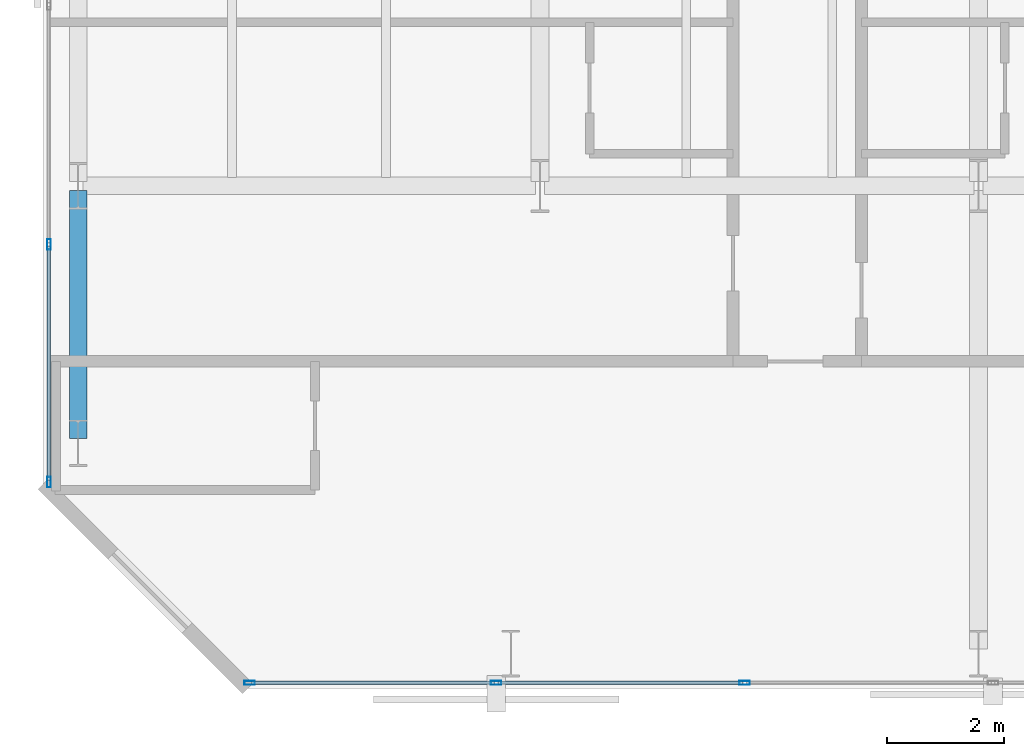
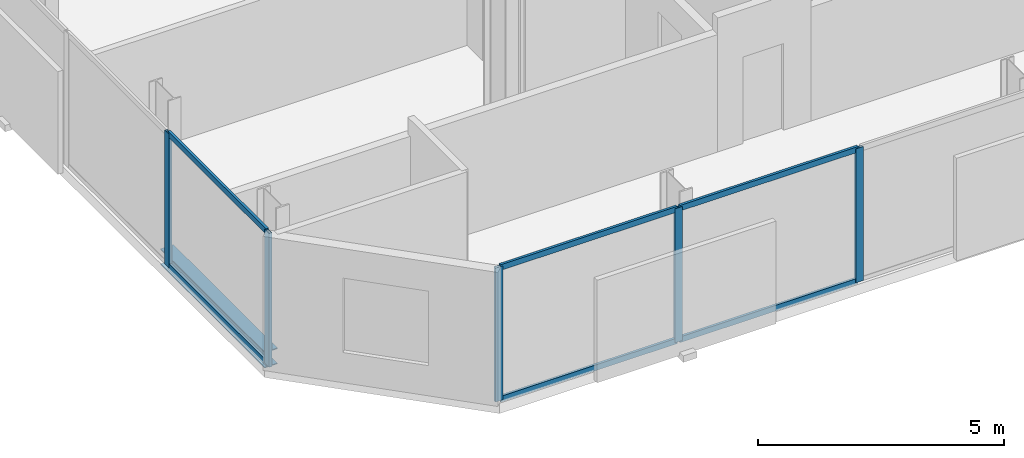
# One storey, part 3 of 33: 11 members, 1 beam, 2 elements without a shape of their own.
"""IFC4 building model written with IfcOpenShell, lengths in metres."""

import ifcopenshell
import ifcopenshell.guid

model = None  # the IFC model being written
_history = None  # IfcOwnerHistory: only IFC2X3 demands one
_inside = {}  # id of a spatial element -> (the spatial element, [elements in it])
_under = {}  # id of a project, library or spatial element -> (it, [spatial elements below it])
_declared = {}  # id of a project -> (the project, [libraries it declares])
_typed = {}  # id of a type object -> (the type object, [elements of that type])
_made_of = {}  # id of a material, layer set ... -> (it, [elements and type objects made of it])


def new_model(schema):
    """Start an empty IFC model of exactly this schema.

    Asked for "IFC4X3", IfcOpenShell would pick the latest addendum, in which some entities
    have other attributes; the version numbers below select the first issue.
    IFC2X3 requires an IfcOwnerHistory on every rooted entity: one is made here for all.
    """
    global model, _history
    if schema == "IFC4X3":
        model = ifcopenshell.file(schema_version=(4, 3, 0, 0))
    else:
        model = ifcopenshell.file(schema=schema)
    _inside.clear()
    _under.clear()
    _declared.clear()
    _typed.clear()
    _made_of.clear()
    _history = None
    if model.schema == "IFC2X3":
        org = make("IfcOrganization", Name="unknown")
        user = make(
            "IfcPersonAndOrganization",
            ThePerson=make("IfcPerson", FamilyName="unknown"),
            TheOrganization=org,
        )
        app = make(
            "IfcApplication",
            ApplicationDeveloper=org,
            Version="unknown",
            ApplicationFullName="unknown",
            ApplicationIdentifier="unknown",
        )
        _history = make(
            "IfcOwnerHistory",
            OwningUser=user,
            OwningApplication=app,
            ChangeAction="ADDED",
            CreationDate=0,
        )
    return model


def make(cls, **values):
    """One entity of the class cls with the attributes given. An attribute that is None is left unset."""
    return model.create_entity(
        cls, **{name: value for name, value in values.items() if value is not None}
    )


def rooted(cls, **values):
    """An entity with a GlobalId (a new one), such as an element, a storey or a relation."""
    return make(cls, GlobalId=ifcopenshell.guid.new(), OwnerHistory=_history, **values)


def si_unit(unit_type, name, prefix=None):
    """IfcSIUnit, for example si_unit("LENGTHUNIT", "METRE", prefix="MILLI")."""
    return make("IfcSIUnit", UnitType=unit_type, Prefix=prefix, Name=name)


def assignment(units):
    """IfcUnitAssignment: the units of a project."""
    return None if units is None else make("IfcUnitAssignment", Units=units)


def point(xyz):
    """IfcCartesianPoint."""
    return None if xyz is None else make("IfcCartesianPoint", Coordinates=xyz)


def direction(xyz):
    """IfcDirection."""
    return None if xyz is None else make("IfcDirection", DirectionRatios=xyz)


def frame(location, z_axis=None, x_axis=None):
    """IfcAxis2Placement3D, a coordinate frame: its origin and axes. An axis left out is left unset."""
    return make(
        "IfcAxis2Placement3D",
        Location=point(location),
        Axis=direction(z_axis),
        RefDirection=direction(x_axis),
    )


def frame_2d(location, x_axis=None):
    """IfcAxis2Placement2D, a coordinate frame in the plane: its origin and x axis."""
    return make(
        "IfcAxis2Placement2D", Location=point(location), RefDirection=direction(x_axis)
    )


def origin():
    """The frame at (0, 0, 0) with its axes left unset."""
    return frame((0.0, 0.0, 0.0))


def origin_2d():
    """The frame at (0, 0) in the plane with its x axis left unset."""
    return frame_2d((0.0, 0.0))


def place(relative_to, where):
    """IfcLocalPlacement: puts the frame where relative to a parent placement (None: the world)."""
    return make(
        "IfcLocalPlacement", PlacementRelTo=relative_to, RelativePlacement=where
    )


def context(
    kind, dimensions, precision=None, world=None, true_north=None, identifier=None
):
    """IfcGeometricRepresentationContext, for example the 3D "Model" context."""
    return make(
        "IfcGeometricRepresentationContext",
        ContextIdentifier=identifier,
        ContextType=kind,
        CoordinateSpaceDimension=dimensions,
        Precision=precision,
        WorldCoordinateSystem=world,
        TrueNorth=true_north,
    )


def subcontext(parent, identifier, kind, view, scale=None):
    """IfcGeometricRepresentationSubContext, for example "Body" below "Model"."""
    return make(
        "IfcGeometricRepresentationSubContext",
        ContextIdentifier=identifier,
        ContextType=kind,
        ParentContext=parent,
        TargetScale=scale,
        TargetView=view,
    )


def project(units=None, contexts=None):
    """IfcProject with its units and contexts."""
    return rooted(
        "IfcProject",
        Name="project",
        RepresentationContexts=contexts,
        UnitsInContext=assignment(units),
    )


def spatial(cls, under=None, at=None, **own):
    """A site, building, storey or space (cls), placed at a placement, below another one or the project."""
    s = rooted(cls, ObjectPlacement=at, **own)
    if under is not None:
        _under.setdefault(under.id(), (under, []))[1].append(s)
    return s


def profile(cls, at=None, kind="AREA", **sizes):
    """A parametric profile (cls). Its sizes go by their IFC names, for example OverallWidth=200.0."""
    return make(cls, ProfileType=kind, Position=at, **sizes)


def hollow_rectangle(**sizes):
    """IfcRectangleHollowProfileDef."""
    return profile("IfcRectangleHollowProfileDef", **sizes)


def i_section(**sizes):
    """IfcIShapeProfileDef."""
    return profile("IfcIShapeProfileDef", **sizes)


def extrude(swept, where, along, depth):
    """IfcExtrudedAreaSolid: the profile swept, set in the frame where, extruded along a direction by depth."""
    return make(
        "IfcExtrudedAreaSolid",
        SweptArea=swept,
        Position=where,
        ExtrudedDirection=direction(along),
        Depth=depth,
    )


def shape(context_of_items, identifier, shape_type, items):
    """IfcShapeRepresentation: the items that make up one representation, for example the "Body"."""
    return make(
        "IfcShapeRepresentation",
        ContextOfItems=context_of_items,
        RepresentationIdentifier=identifier,
        RepresentationType=shape_type,
        Items=items,
    )


def material(Name=None, Category=None):
    """IfcMaterial."""
    return make("IfcMaterial", Name=Name, Category=Category)


def layer(
    of_material, thickness, ventilated=None, Name=None, Category=None, Priority=None
):
    """IfcMaterialLayer: one layer of a wall or slab, of a material (None: an air gap)."""
    return make(
        "IfcMaterialLayer",
        Material=of_material,
        LayerThickness=thickness,
        IsVentilated=ventilated,
        Name=Name,
        Category=Category,
        Priority=Priority,
    )


def layer_set(layers, Name=None):
    """IfcMaterialLayerSet."""
    return make("IfcMaterialLayerSet", MaterialLayers=layers, LayerSetName=Name)


def material_profile(
    of_material, cross_section, Name=None, Category=None, Priority=None
):
    """IfcMaterialProfile: a cross section and its material."""
    return make(
        "IfcMaterialProfile",
        Name=Name,
        Material=of_material,
        Profile=cross_section,
        Priority=Priority,
        Category=Category,
    )


def profile_set(profiles, Name=None, composite=None):
    """IfcMaterialProfileSet."""
    return make(
        "IfcMaterialProfileSet",
        Name=Name,
        MaterialProfiles=profiles,
        CompositeProfile=composite,
    )


def made_of(thing, what):
    """Note that an element or type object is made of a material, layer set ...; save() writes the relation."""
    if what is not None:
        _made_of.setdefault(what.id(), (what, []))[1].append(thing)
    return thing


def type_object(cls, material=None, **own):
    """A type object (cls), such as IfcWallType, which elements share."""
    return made_of(rooted(cls, **own), material)


def element(
    cls,
    number,
    at=None,
    inside=None,
    cuts=None,
    type_object=None,
    material=None,
    context=None,
    identifier="Body",
    shape_type=None,
    held_by="IfcProductDefinitionShape",
    body=None,
    shapes=None,
    **own,
):
    """One element of the class cls, such as IfcWall. Its Tag is "e" and its number.

    at: its placement. inside: the storey or other place that contains it. cuts: it is an
    opening in that element (IfcRelVoidsElement). A single representation is given by context,
    identifier, shape_type and body (its items); several are given by shapes. held_by: the class
    of the entity that holds the representations. save() writes the other relations.
    """
    e = rooted(cls, Tag="e%d" % number, ObjectPlacement=at, **own)
    if body is not None:
        shapes = [shape(context, identifier, shape_type, body)]
    if shapes is not None:
        e.Representation = make(held_by, Representations=shapes)
    if inside is not None:
        _inside.setdefault(inside.id(), (inside, []))[1].append(e)
    if cuts is not None:
        rooted(
            "IfcRelVoidsElement", RelatingBuildingElement=cuts, RelatedOpeningElement=e
        )
    if type_object is not None:
        _typed.setdefault(type_object.id(), (type_object, []))[1].append(e)
    return made_of(e, material)


def aggregate(whole, parts):
    """IfcRelAggregates: a whole, such as a stair, and the parts it consists of."""
    return rooted("IfcRelAggregates", RelatingObject=whole, RelatedObjects=parts)


def save(model, path):
    """Write the relations noted so far, then the file.

    IfcRelAggregates (storeys below a building ...), IfcRelContainedInSpatialStructure (elements
    in a storey), IfcRelDefinesByType, IfcRelAssociatesMaterial and IfcRelDeclares: one each for
    every whole, place, type object, material and project.
    """
    for whole, parts in _under.values():
        aggregate(whole, parts)
    for where, things in _inside.values():
        rooted(
            "IfcRelContainedInSpatialStructure",
            RelatedElements=things,
            RelatingStructure=where,
        )
    for kind, things in _typed.values():
        rooted("IfcRelDefinesByType", RelatedObjects=things, RelatingType=kind)
    for what, things in _made_of.values():
        rooted("IfcRelAssociatesMaterial", RelatedObjects=things, RelatingMaterial=what)
    for by, libraries in _declared.values():
        rooted("IfcRelDeclares", RelatingContext=by, RelatedDefinitions=libraries)
    model.write(path)


model = new_model("IFC4")

# Units and contexts
model_context = context("Model", 3, precision=1e-05, world=origin(), true_north=direction((0.0, 1.0)))
body_context = subcontext(model_context, "Body", "Model", "MODEL_VIEW")
ifc_project = project(units=[si_unit("LENGTHUNIT", "METRE"), si_unit("AREAUNIT", "SQUARE_METRE"), si_unit("VOLUMEUNIT", "CUBIC_METRE"), si_unit("PLANEANGLEUNIT", "RADIAN"), si_unit("MASSUNIT", "GRAM", prefix="KILO")], contexts=[model_context])

# Site, building, storey
site_placement = place(None, origin())
site = spatial("IfcSite", under=ifc_project, at=site_placement, CompositionType="ELEMENT")
building_placement = place(site_placement, origin())
building = spatial("IfcBuilding", under=site, at=building_placement, Name="Catumbela Crestline Tower", CompositionType="ELEMENT")
storey_placement = place(building_placement, frame((0.0, 0.0, 72.6)))
storey = spatial("IfcBuildingStorey", under=building, at=storey_placement, Name="L18", CompositionType="ELEMENT", Elevation=72.6)

# Curtain wall, members
ifc_material_1 = material(Name="Aluminium alloy AW-6060-T66", Category="aluminium")
ifc_layer = layer(ifc_material_1, 0.18, Name="Aluminium alloy AW-6060-T66")
ifc_layer_set = layer_set([ifc_layer], Name="Aluminium alloy AW-6060-T66")
curtain_wall_type = type_object("IfcCurtainWallType", Name="CWU-Z1", PredefinedType="USERDEFINED", material=ifc_layer_set)
curtain_wall_1_placement = place(storey_placement, origin())
curtain_wall_1 = element("IfcCurtainWall", 1, at=curtain_wall_1_placement, inside=storey, type_object=curtain_wall_type, Name="L18 Unitised Curtain Wall CW-L18-E0S1", ObjectType="UNITISED", PredefinedType="USERDEFINED")
ifc_material_profile_1 = material_profile(ifc_material_1, hollow_rectangle(XDim=0.065, YDim=0.18, WallThickness=0.004, at=origin_2d()), Name="ALU 180x65x4")
ifc_profile_set_1 = profile_set([ifc_material_profile_1], Name="Aluminium alloy AW-6060-T66")
member_type_1 = type_object("IfcMemberType", Name="MUL-180X65", PredefinedType="MULLION", material=ifc_profile_set_1)
member_1_placement = place(storey_placement, frame((3.5325, 0.1, 0.0), z_axis=(0.0, 0.0, 1.0), x_axis=(0.0, 1.0, 0.0)))
member_1 = element("IfcMember", 2, at=member_1_placement, type_object=member_type_1, Name="CWU-Z1 mullion 1", PredefinedType="MULLION", context=body_context, shape_type="SweptSolid", body=[
    extrude(hollow_rectangle(XDim=0.065, YDim=0.18, WallThickness=0.004, at=origin_2d()), origin(), (0.0, 0.0, 1.0), 3.33),
])
member_2_placement = place(storey_placement, frame((7.75, 0.1, 0.0), z_axis=(0.0, 0.0, 1.0), x_axis=(0.0, 1.0, 0.0)))
member_2 = element("IfcMember", 3, at=member_2_placement, type_object=member_type_1, Name="CWU-Z1 mullion 2", PredefinedType="MULLION", context=body_context, shape_type="SweptSolid", body=[
    extrude(hollow_rectangle(XDim=0.065, YDim=0.18, WallThickness=0.004, at=origin_2d()), origin(), (0.0, 0.0, 1.0), 3.33),
])
member_3_placement = place(storey_placement, frame((12.0, 0.1, 0.0), z_axis=(0.0, 0.0, 1.0), x_axis=(0.0, 1.0, 0.0)))
member_3 = element("IfcMember", 4, at=member_3_placement, type_object=member_type_1, Name="CWU-Z1 mullion 3", PredefinedType="MULLION", context=body_context, shape_type="SweptSolid", body=[
    extrude(hollow_rectangle(XDim=0.065, YDim=0.18, WallThickness=0.004, at=origin_2d()), origin(), (0.0, 0.0, 1.0), 3.33),
])

curtain_wall_2_placement = place(storey_placement, origin())
curtain_wall_2 = element("IfcCurtainWall", 5, at=curtain_wall_2_placement, inside=storey, type_object=curtain_wall_type, Name="L18 Unitised Curtain Wall CW-L18-E9S1", ObjectType="UNITISED", PredefinedType="USERDEFINED")
member_4_placement = place(storey_placement, frame((0.1, 7.6, 0.0), z_axis=(0.0, 0.0, 1.0), x_axis=(1.0, 0.0, 0.0)))
member_4 = element("IfcMember", 6, at=member_4_placement, type_object=member_type_1, Name="CWU-Z1 mullion 10", PredefinedType="MULLION", context=body_context, shape_type="SweptSolid", body=[
    extrude(hollow_rectangle(XDim=0.065, YDim=0.18, WallThickness=0.004, at=origin_2d()), origin(), (0.0, 0.0, 1.0), 3.33),
])
member_5_placement = place(storey_placement, frame((0.1, 3.5325, 0.0), z_axis=(0.0, 0.0, 1.0), x_axis=(1.0, 0.0, 0.0)))
member_5 = element("IfcMember", 7, at=member_5_placement, type_object=member_type_1, Name="CWU-Z1 mullion 11", PredefinedType="MULLION", context=body_context, shape_type="SweptSolid", body=[
    extrude(hollow_rectangle(XDim=0.065, YDim=0.18, WallThickness=0.004, at=origin_2d()), origin(), (0.0, 0.0, 1.0), 3.33),
])

# Beam
ifc_material_2 = material(Name="Structural steel S355J2", Category="steel")
ifc_material_profile_2 = material_profile(ifc_material_2, i_section(OverallWidth=0.3, OverallDepth=0.4, WebThickness=0.0135, FlangeThickness=0.024, FilletRadius=0.027, at=origin_2d()), Name="HEB 400")
ifc_profile_set_2 = profile_set([ifc_material_profile_2], Name="Structural steel S355J2")
beam_type = type_object("IfcBeamType", Name="BS-HEB400", PredefinedType="SPANDREL", material=ifc_profile_set_2)
beam_placement = place(storey_placement, frame((0.6, 4.28, -0.46), z_axis=(0.0, 1.0, 0.0), x_axis=(-1.0, 0.0, 0.0)))
element("IfcBeam", 8, at=beam_placement, inside=storey, type_object=beam_type, Name="L18 Spandrel SP-L18-WNS57", PredefinedType="SPANDREL", context=body_context, shape_type="SweptSolid", body=[
    extrude(i_section(OverallWidth=0.3, OverallDepth=0.4, WebThickness=0.0135, FlangeThickness=0.024, FilletRadius=0.027, at=origin_2d()), origin(), (0.0, 0.0, 1.0), 4.24),
])

# Member
ifc_material_profile_3 = material_profile(ifc_material_1, hollow_rectangle(XDim=0.06, YDim=0.14, WallThickness=0.004, at=origin_2d()), Name="ALU 140x60x4")
ifc_profile_set_3 = profile_set([ifc_material_profile_3], Name="Aluminium alloy AW-6060-T66")
member_type_2 = type_object("IfcMemberType", Name="TRN-140X60", PredefinedType="USERDEFINED", material=ifc_profile_set_3)
member_6_placement = place(storey_placement, frame((3.565, 0.1, 0.03), z_axis=(1.0, 0.0, 0.0), x_axis=(0.0, 1.0, 0.0)))
member_6 = element("IfcMember", 9, at=member_6_placement, type_object=member_type_2, Name="CWU-Z1 transom 1.1", ObjectType="TRANSOM", PredefinedType="USERDEFINED", context=body_context, shape_type="SweptSolid", body=[
    extrude(hollow_rectangle(XDim=0.06, YDim=0.14, WallThickness=0.004, at=origin_2d()), origin(), (0.0, 0.0, 1.0), 4.1525),
])

member_7_placement = place(storey_placement, frame((3.565, 0.1, 3.3), z_axis=(1.0, 0.0, 0.0), x_axis=(0.0, 1.0, 0.0)))
member_7 = element("IfcMember", 10, at=member_7_placement, type_object=member_type_2, Name="CWU-Z1 transom 1.2", ObjectType="TRANSOM", PredefinedType="USERDEFINED", context=body_context, shape_type="SweptSolid", body=[
    extrude(hollow_rectangle(XDim=0.06, YDim=0.14, WallThickness=0.004, at=origin_2d()), origin(), (0.0, 0.0, 1.0), 4.1525),
])

member_8_placement = place(storey_placement, frame((7.7825, 0.1, 0.03), z_axis=(1.0, 0.0, 0.0), x_axis=(0.0, 1.0, 0.0)))
member_8 = element("IfcMember", 11, at=member_8_placement, type_object=member_type_2, Name="CWU-Z1 transom 2.1", ObjectType="TRANSOM", PredefinedType="USERDEFINED", context=body_context, shape_type="SweptSolid", body=[
    extrude(hollow_rectangle(XDim=0.06, YDim=0.14, WallThickness=0.004, at=origin_2d()), origin(), (0.0, 0.0, 1.0), 4.185),
])

member_9_placement = place(storey_placement, frame((7.7825, 0.1, 3.3), z_axis=(1.0, 0.0, 0.0), x_axis=(0.0, 1.0, 0.0)))
member_9 = element("IfcMember", 12, at=member_9_placement, type_object=member_type_2, Name="CWU-Z1 transom 2.2", ObjectType="TRANSOM", PredefinedType="USERDEFINED", context=body_context, shape_type="SweptSolid", body=[
    extrude(hollow_rectangle(XDim=0.06, YDim=0.14, WallThickness=0.004, at=origin_2d()), origin(), (0.0, 0.0, 1.0), 4.185),
])

aggregate(curtain_wall_1, [member_1, member_2, member_3, member_6, member_7, member_8, member_9])

member_10_placement = place(storey_placement, frame((0.1, 7.5675, 0.03), z_axis=(0.0, -1.0, 0.0), x_axis=(1.0, 0.0, 0.0)))
member_10 = element("IfcMember", 13, at=member_10_placement, type_object=member_type_2, Name="CWU-Z1 transom 10.1", ObjectType="TRANSOM", PredefinedType="USERDEFINED", context=body_context, shape_type="SweptSolid", body=[
    extrude(hollow_rectangle(XDim=0.06, YDim=0.14, WallThickness=0.004, at=origin_2d()), origin(), (0.0, 0.0, 1.0), 4.0025),
])

member_11_placement = place(storey_placement, frame((0.1, 7.5675, 3.3), z_axis=(0.0, -1.0, 0.0), x_axis=(1.0, 0.0, 0.0)))
member_11 = element("IfcMember", 14, at=member_11_placement, type_object=member_type_2, Name="CWU-Z1 transom 10.2", ObjectType="TRANSOM", PredefinedType="USERDEFINED", context=body_context, shape_type="SweptSolid", body=[
    extrude(hollow_rectangle(XDim=0.06, YDim=0.14, WallThickness=0.004, at=origin_2d()), origin(), (0.0, 0.0, 1.0), 4.0025),
])

aggregate(curtain_wall_2, [member_4, member_5, member_10, member_11])

save(model, "model.ifc")
